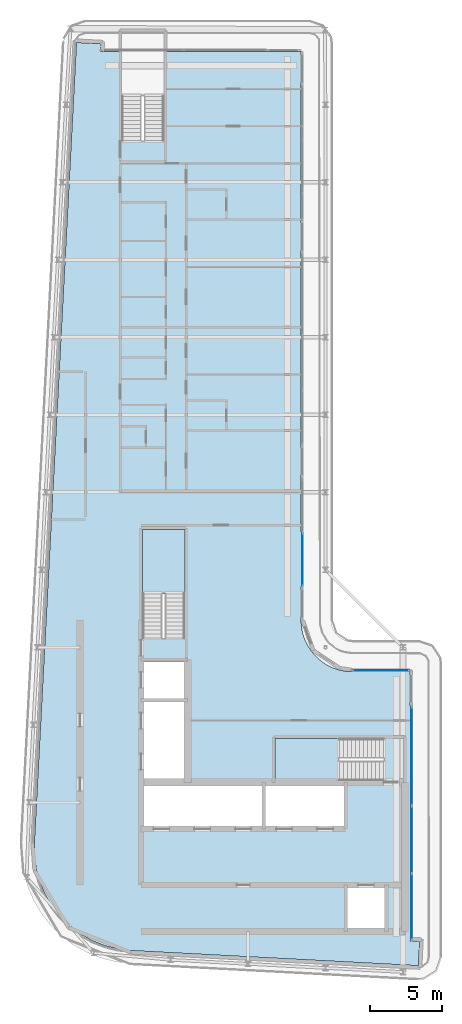
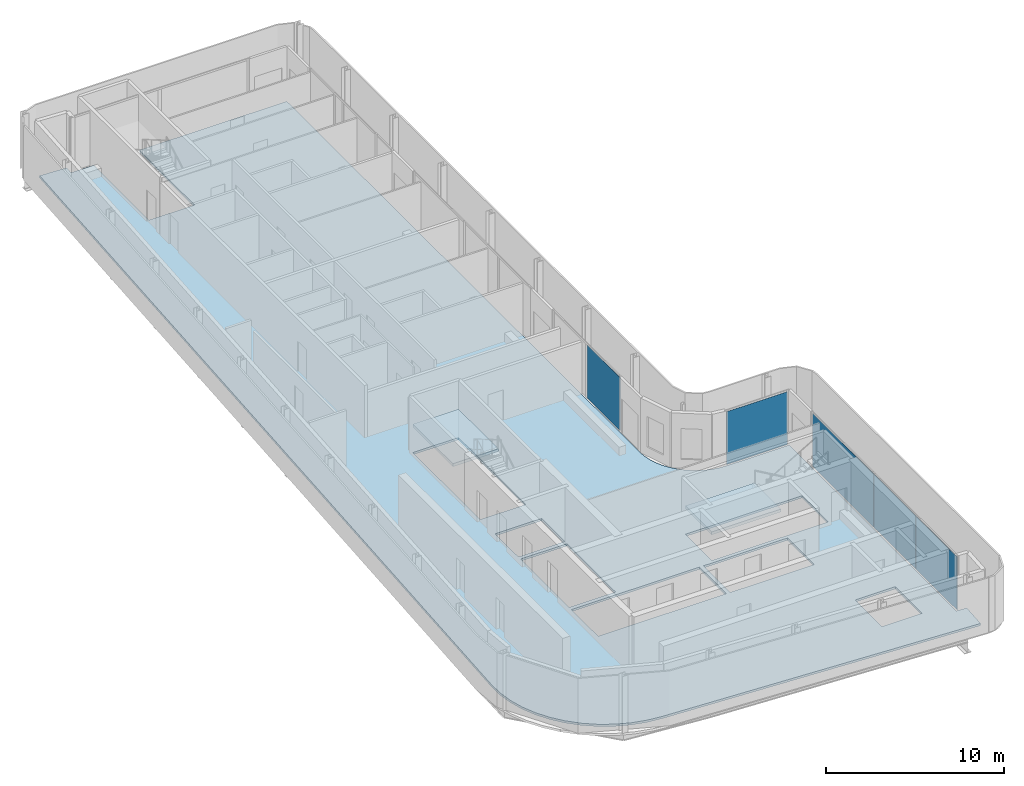
# One storey, part 7 of 17: 5 plates, 3 slabs, 6 elements without a shape of their own.
"""IFC4 building model written with IfcOpenShell, lengths in metres."""

from ifc_helpers import new_model, si_unit, direction, frame, origin, origin_2d, place, context, subcontext, project, spatial, polyline, rectangle, outline, extrude, material, layer, layer_set, type_object, element, aggregate, save


model = new_model("IFC4")

# Units and contexts
model_context = context("Model", 3, precision=1e-05, world=origin(), true_north=direction((0.0, 1.0)))
body_context = subcontext(model_context, "Body", "Model", "MODEL_VIEW")
ifc_project = project(units=[si_unit("LENGTHUNIT", "METRE"), si_unit("AREAUNIT", "SQUARE_METRE"), si_unit("VOLUMEUNIT", "CUBIC_METRE"), si_unit("PLANEANGLEUNIT", "RADIAN"), si_unit("MASSUNIT", "GRAM", prefix="KILO")], contexts=[model_context])

# Site, building, storey
site_placement = place(None, origin())
site = spatial("IfcSite", under=ifc_project, at=site_placement, CompositionType="ELEMENT")
building_placement = place(site_placement, origin())
building = spatial("IfcBuilding", under=site, at=building_placement, Name="Kheshtan School and Residences Tower", CompositionType="ELEMENT")
storey_placement = place(building_placement, frame((0.0, 0.0, 346.10009765625)))
storey = spatial("IfcBuildingStorey", under=building, at=storey_placement, Name="L81", CompositionType="ELEMENT", Elevation=346.10009765625)

# Curtain wall, plate
ifc_material_1 = material(Name="Clear low-e glass in thermally broken aluminium frame", Category="aluminium")
ifc_layer_1 = layer(ifc_material_1, 0.199951171875)
ifc_layer_set_1 = layer_set([ifc_layer_1], Name="Curtain wall CW-B")
curtain_wall_type_1 = type_object("IfcCurtainWallType", Name="Curtain wall CW-B", PredefinedType="NOTDEFINED", material=ifc_layer_set_1)
curtain_wall_1_placement = place(storey_placement, origin())
curtain_wall_1 = element("IfcCurtainWall", 1, at=curtain_wall_1_placement, inside=storey, type_object=curtain_wall_type_1, Name="Curtain wall CWB8", PredefinedType="NOTDEFINED")
ifc_layer_2 = layer(ifc_material_1, 0.031982421875)
ifc_layer_set_2 = layer_set([ifc_layer_2], Name="CW-B glass panel")
plate_type_1 = type_object("IfcPlateType", Name="CW-B glass panel", PredefinedType="CURTAIN_PANEL", material=ifc_layer_set_2)
plate_1_placement = place(storey_placement, frame((51.465087890625, 44.0, 0.0), z_axis=(0.0, 0.0, 1.0), x_axis=(1.0, 0.0, 0.0)))
plate_1 = element("IfcPlate", 2, at=plate_1_placement, type_object=plate_type_1, Name="CWB8 panel 1.1", PredefinedType="CURTAIN_PANEL", context=body_context, shape_type="SweptSolid", body=[
    extrude(rectangle(XDim=3.949951171875, YDim=0.031982421875, at=origin_2d()), origin(), (0.0, 0.0, 1.0), 3.6298828125),
])
aggregate(curtain_wall_1, [plate_1])

ifc_layer_3 = layer(ifc_material_1, 0.199951171875)
ifc_layer_set_3 = layer_set([ifc_layer_3], Name="Curtain wall CW-L")
curtain_wall_type_2 = type_object("IfcCurtainWallType", Name="Curtain wall CW-L", PredefinedType="NOTDEFINED", material=ifc_layer_set_3)
curtain_wall_2_placement = place(storey_placement, origin())
curtain_wall_2 = element("IfcCurtainWall", 3, at=curtain_wall_2_placement, inside=storey, type_object=curtain_wall_type_2, Name="Curtain wall CWL4a", PredefinedType="NOTDEFINED")
ifc_layer_4 = layer(ifc_material_1, 0.031982421875)
ifc_layer_set_4 = layer_set([ifc_layer_4], Name="CW-L glass panel")
plate_type_2 = type_object("IfcPlateType", Name="CW-L glass panel", PredefinedType="CURTAIN_PANEL", material=ifc_layer_set_4)
plate_2_placement = place(storey_placement, frame((46.0, 51.724365234375, 0.0), z_axis=(0.0, 0.0, 1.0), x_axis=(0.0, -1.0, 0.0)))
plate_2 = element("IfcPlate", 4, at=plate_2_placement, type_object=plate_type_2, Name="CWL4a panel 2.1", PredefinedType="CURTAIN_PANEL", context=body_context, shape_type="SweptSolid", body=[
    extrude(rectangle(XDim=3.668701171875, YDim=0.031982421875, at=origin_2d()), origin(), (0.0, 0.0, 1.0), 3.6298828125),
])
aggregate(curtain_wall_2, [plate_2])

curtain_wall_3_placement = place(storey_placement, origin())
curtain_wall_3 = element("IfcCurtainWall", 5, at=curtain_wall_3_placement, inside=storey, type_object=curtain_wall_type_2, Name="Curtain wall CWL9e", PredefinedType="NOTDEFINED")
plate_3_placement = place(storey_placement, frame((53.60009765625, 38.013916015625, 0.0), z_axis=(0.0, 0.0, 1.0), x_axis=(0.0, -1.0, 0.0)))
plate_3 = element("IfcPlate", 6, at=plate_3_placement, type_object=plate_type_2, Name="CWL9e panel 1.1", PredefinedType="CURTAIN_PANEL", context=body_context, shape_type="SweptSolid", body=[
    extrude(rectangle(XDim=6.85205078125, YDim=0.031982421875, at=origin_2d()), origin(), (0.0, 0.0, 1.0), 3.6298828125),
])
aggregate(curtain_wall_3, [plate_3])

# Curtain wall, plates
curtain_wall_4_placement = place(storey_placement, origin())
curtain_wall_4 = element("IfcCurtainWall", 7, at=curtain_wall_4_placement, inside=storey, type_object=curtain_wall_type_2, Name="Curtain wall CWL9d", PredefinedType="NOTDEFINED")
plate_4_placement = place(storey_placement, frame((53.60009765625, 32.199951171875, 0.0), z_axis=(0.0, 0.0, 1.0), x_axis=(0.0, -1.0, 0.0)))
plate_4 = element("IfcPlate", 8, at=plate_4_placement, type_object=plate_type_2, Name="CWL9d panel 1.1", PredefinedType="CURTAIN_PANEL", context=body_context, shape_type="SweptSolid", body=[
    extrude(rectangle(XDim=4.656005859375, YDim=0.031982421875, at=origin_2d()), origin(), (0.0, 0.0, 1.0), 3.6298828125),
])
plate_5_placement = place(storey_placement, frame((53.60009765625, 27.513916015625, 0.0), z_axis=(0.0, 0.0, 1.0), x_axis=(0.0, -1.0, 0.0)))
plate_5 = element("IfcPlate", 9, at=plate_5_placement, type_object=plate_type_2, Name="CWL9d panel 2.1", PredefinedType="CURTAIN_PANEL", context=body_context, shape_type="SweptSolid", body=[
    extrude(rectangle(XDim=4.595947265625, YDim=0.031982421875, at=origin_2d()), origin(), (0.0, 0.0, 1.0), 3.6298828125),
])
aggregate(curtain_wall_4, [plate_4, plate_5])

# Slab
ifc_material_2 = material(Name="Concrete C40/50", Category="concrete")
ifc_layer_5 = layer(ifc_material_2, 0.14990234375)
ifc_layer_set_5 = layer_set([ifc_layer_5], Name="Floor slab 150 Concrete C40/50")
slab_type_1 = type_object("IfcSlabType", Name="Floor slab 150 Concrete C40/50", PredefinedType="FLOOR", material=ifc_layer_set_5)
slab_1_placement = place(storey_placement, frame((0.0, 0.0, -0.150146484375)))
element("IfcSlab", 10, at=slab_1_placement, inside=storey, type_object=slab_type_1, Name="Floor slab L81", PredefinedType="FLOOR", context=body_context, shape_type="SweptSolid", body=[
    extrude(outline(polyline([(28.55908203125, 27.550048828125), (28.0849609375, 28.345947265625), (27.718017578125, 29.200927734375), (27.466064453125, 30.093017578125), (27.466064453125, 30.093994140625), (27.3330078125, 31.013916015625), (27.320068359375, 31.965087890625), (27.320068359375, 31.970947265625), (30.25390625, 87.700927734375), (30.2548828125, 87.7080078125), (30.258056640625, 87.73095703125), (30.258056640625, 87.73193359375), (30.259033203125, 87.73193359375), (30.85400390625, 87.699951171875), (30.85498046875, 87.699951171875), (30.85498046875, 87.698974609375), (30.85498046875, 87.695068359375), (30.85498046875, 87.694091796875), (30.85595703125, 87.694091796875), (30.85595703125, 87.693115234375), (30.85693359375, 87.693115234375), (30.85791015625, 87.693115234375), (30.85791015625, 87.694091796875), (30.860107421875, 87.696044921875), (30.861083984375, 87.697021484375), (30.862060546875, 87.697998046875), (30.863037109375, 87.697998046875), (30.863037109375, 87.698974609375), (30.864013671875, 87.698974609375), (30.864013671875, 87.699951171875), (30.864990234375, 87.699951171875), (30.866943359375, 87.700927734375), (30.867919921875, 87.701904296875), (30.87109375, 87.701904296875), (30.8720703125, 87.701904296875), (30.8720703125, 87.702880859375), (30.873046875, 87.702880859375), (30.8779296875, 87.702880859375), (31.93310546875, 87.64697265625), (31.93603515625, 87.64697265625), (31.93701171875, 87.64697265625), (31.93701171875, 87.64599609375), (31.93798828125, 87.64599609375), (31.94189453125, 87.64599609375), (31.94189453125, 87.64501953125), (31.943115234375, 87.64501953125), (31.943115234375, 87.64404296875), (31.944091796875, 87.64404296875), (31.944091796875, 87.64306640625), (31.945068359375, 87.64306640625), (31.946044921875, 87.64306640625), (31.946044921875, 87.64208984375), (31.947021484375, 87.64208984375), (31.947998046875, 87.64208984375), (31.947998046875, 87.64111328125), (31.949951171875, 87.638916015625), (31.950927734375, 87.638916015625), (31.950927734375, 87.637939453125), (31.950927734375, 87.636962890625), (31.951904296875, 87.636962890625), (31.951904296875, 87.635986328125), (31.952880859375, 87.635986328125), (31.952880859375, 87.634033203125), (31.952880859375, 87.633056640625), (31.9541015625, 87.633056640625), (31.9541015625, 87.632080078125), (31.955078125, 87.632080078125), (31.955078125, 87.631103515625), (31.955078125, 87.62890625), (31.955078125, 87.6279296875), (31.9560546875, 87.6279296875), (31.9560546875, 87.626953125), (31.9560546875, 87.6220703125), (31.928955078125, 87.12109375), (31.928955078125, 87.117919921875), (31.928955078125, 87.116943359375), (31.927978515625, 87.116943359375), (31.927978515625, 87.115966796875), (31.927978515625, 87.112060546875), (31.927001953125, 87.111083984375), (31.927001953125, 87.110107421875), (31.926025390625, 87.110107421875), (31.926025390625, 87.10888671875), (31.925048828125, 87.10888671875), (31.925048828125, 87.10791015625), (31.924072265625, 87.10693359375), (31.922119140625, 87.10498046875), (31.9208984375, 87.10400390625), (31.919921875, 87.10400390625), (31.919921875, 87.10302734375), (31.919921875, 87.10205078125), (31.919921875, 87.10107421875), (31.9208984375, 87.10107421875), (31.9208984375, 87.10009765625), (31.922119140625, 87.10009765625), (33.39990234375, 87.10009765625), (33.39990234375, 80.909912109375), (34.800048828125, 80.909912109375), (34.800048828125, 80.89990234375), (36.35009765625, 80.89990234375), (36.35009765625, 87.10009765625), (45.85498046875, 87.10009765625), (45.864990234375, 87.097900390625), (45.865966796875, 87.097900390625), (45.868896484375, 87.095947265625), (45.8740234375, 87.093994140625), (45.8779296875, 87.092041015625), (45.881103515625, 87.090087890625), (45.881103515625, 87.089111328125), (45.882080078125, 87.089111328125), (45.882080078125, 87.087890625), (45.883056640625, 87.087890625), (45.884033203125, 87.0849609375), (45.885009765625, 87.0849609375), (45.885009765625, 87.083984375), (45.887939453125, 87.0830078125), (45.887939453125, 87.08203125), (45.888916015625, 87.08203125), (45.888916015625, 87.0810546875), (45.889892578125, 87.0810546875), (45.89208984375, 87.077880859375), (45.89404296875, 87.073974609375), (45.89599609375, 87.069091796875), (45.89794921875, 87.06591796875), (45.89794921875, 87.06494140625), (45.89990234375, 87.054931640625), (45.89990234375, 47.429931640625), (45.927001953125, 47.030029296875), (46.01806640625, 46.570068359375), (46.01806640625, 46.569091796875), (46.169921875, 46.1201171875), (46.37890625, 45.697021484375), (46.638916015625, 45.30810546875), (46.949951171875, 44.950927734375), (46.950927734375, 44.949951171875), (47.30810546875, 44.638916015625), (47.697021484375, 44.37890625), (48.1201171875, 44.169921875), (48.569091796875, 44.01806640625), (48.570068359375, 44.01806640625), (49.030029296875, 43.927001953125), (49.429931640625, 43.89990234375), (53.455078125, 43.89990234375), (53.465087890625, 43.89794921875), (53.466064453125, 43.89794921875), (53.468994140625, 43.89599609375), (53.47412109375, 43.89404296875), (53.47802734375, 43.89208984375), (53.48095703125, 43.889892578125), (53.48095703125, 43.888916015625), (53.48193359375, 43.888916015625), (53.48193359375, 43.887939453125), (53.48291015625, 43.887939453125), (53.48388671875, 43.885009765625), (53.485107421875, 43.885009765625), (53.485107421875, 43.884033203125), (53.488037109375, 43.883056640625), (53.488037109375, 43.882080078125), (53.489013671875, 43.882080078125), (53.489013671875, 43.881103515625), (53.489990234375, 43.881103515625), (53.491943359375, 43.8779296875), (53.493896484375, 43.8740234375), (53.49609375, 43.868896484375), (53.498046875, 43.865966796875), (53.498046875, 43.864990234375), (53.4990234375, 43.860107421875), (53.5, 43.85498046875), (53.5, 25.15087890625), (53.5, 25.14990234375), (53.5009765625, 25.14990234375), (53.5009765625, 25.14892578125), (53.501953125, 25.14892578125), (53.5029296875, 25.14892578125), (53.5029296875, 25.14990234375), (53.506103515625, 25.153076171875), (53.507080078125, 25.154052734375), (53.508056640625, 25.154052734375), (53.508056640625, 25.155029296875), (53.509033203125, 25.155029296875), (53.509033203125, 25.156005859375), (53.512939453125, 25.157958984375), (53.51611328125, 25.157958984375), (53.51708984375, 25.157958984375), (53.51708984375, 25.158935546875), (53.51806640625, 25.158935546875), (53.52294921875, 25.158935546875), (54.137939453125, 25.1259765625), (54.14111328125, 25.1259765625), (54.14208984375, 25.1259765625), (54.14208984375, 25.125), (54.14306640625, 25.125), (54.14697265625, 25.125), (54.14697265625, 25.1240234375), (54.14794921875, 25.1240234375), (54.14794921875, 25.123046875), (54.14892578125, 25.123046875), (54.14892578125, 25.1220703125), (54.14990234375, 25.1220703125), (54.15087890625, 25.1220703125), (54.15087890625, 25.12109375), (54.152099609375, 25.12109375), (54.153076171875, 25.12109375), (54.156005859375, 25.117919921875), (54.156005859375, 25.116943359375), (54.156005859375, 25.115966796875), (54.156982421875, 25.115966796875), (54.156982421875, 25.114990234375), (54.157958984375, 25.114990234375), (54.157958984375, 25.113037109375), (54.157958984375, 25.112060546875), (54.158935546875, 25.112060546875), (54.158935546875, 25.111083984375), (54.159912109375, 25.111083984375), (54.159912109375, 25.110107421875), (54.159912109375, 25.10791015625), (54.159912109375, 25.10693359375), (54.160888671875, 25.10693359375), (54.160888671875, 25.10595703125), (54.160888671875, 25.10107421875), (54.10498046875, 24.0439453125), (54.10498046875, 24.041015625), (54.10498046875, 24.0400390625), (54.10400390625, 24.0400390625), (54.10400390625, 24.0390625), (54.10400390625, 24.034912109375), (54.10302734375, 24.033935546875), (54.10302734375, 24.032958984375), (54.10205078125, 24.032958984375), (54.10205078125, 24.031982421875), (54.10107421875, 24.031982421875), (54.10107421875, 24.031005859375), (54.096923828125, 24.027099609375), (54.095947265625, 24.027099609375), (54.095947265625, 24.02587890625), (54.095947265625, 24.02490234375), (54.095947265625, 24.02392578125), (54.096923828125, 24.02392578125), (54.096923828125, 24.02294921875), (54.097900390625, 24.02294921875), (54.09912109375, 24.02294921875), (54.10009765625, 24.02294921875), (54.10009765625, 24.02197265625), (54.068115234375, 23.427001953125), (54.068115234375, 23.426025390625), (54.06689453125, 23.426025390625), (54.04296875, 23.425048828125), (54.0380859375, 23.425048828125), (34.056884765625, 24.47802734375), (33.114990234375, 24.590087890625), (32.215087890625, 24.819091796875), (32.214111328125, 24.819091796875), (31.35205078125, 25.1630859375), (30.541015625, 25.616943359375), (29.799072265625, 26.1708984375), (29.799072265625, 26.172119140625), (29.798095703125, 26.172119140625), (29.134033203125, 26.820068359375), (29.134033203125, 26.821044921875), (29.133056640625, 26.821044921875), (28.55908203125, 27.550048828125)]), holes=[polyline([(53.5009765625, 24.030029296875), (53.5, 24.030029296875), (53.5, 24.029052734375), (53.5, 24.02490234375), (53.5, 24.02392578125), (53.5009765625, 24.02392578125), (53.5009765625, 24.02294921875), (53.501953125, 24.02294921875), (53.506103515625, 24.02294921875), (53.507080078125, 24.02294921875), (53.507080078125, 24.02392578125), (53.508056640625, 24.02392578125), (53.508056640625, 24.02490234375), (53.508056640625, 24.02587890625), (53.507080078125, 24.02587890625), (53.50390625, 24.029052734375), (53.5029296875, 24.030029296875), (53.5029296875, 24.031005859375), (53.501953125, 24.031005859375), (53.5009765625, 24.031005859375), (53.5009765625, 24.030029296875)]), polyline([(30.85595703125, 87.10693359375), (30.85498046875, 87.10693359375), (30.85498046875, 87.10595703125), (30.85498046875, 87.10205078125), (30.85498046875, 87.10107421875), (30.85595703125, 87.10107421875), (30.85595703125, 87.10009765625), (30.85693359375, 87.10009765625), (30.861083984375, 87.10009765625), (30.862060546875, 87.10009765625), (30.862060546875, 87.10107421875), (30.863037109375, 87.10107421875), (30.863037109375, 87.10205078125), (30.863037109375, 87.10302734375), (30.862060546875, 87.10302734375), (30.861083984375, 87.10400390625), (30.860107421875, 87.10498046875), (30.85888671875, 87.10595703125), (30.85791015625, 87.10693359375), (30.85791015625, 87.10791015625), (30.85693359375, 87.10791015625), (30.85595703125, 87.10791015625), (30.85595703125, 87.10693359375)]), polyline([(51.72509765625, 28.925048828125), (49.125, 28.925048828125), (49.125, 25.925048828125), (51.72509765625, 25.925048828125), (51.72509765625, 28.925048828125)]), polyline([(43.175048828125, 33.074951171875), (43.175048828125, 36.074951171875), (34.875, 36.074951171875), (34.875, 33.074951171875), (43.175048828125, 33.074951171875)]), polyline([(43.425048828125, 36.074951171875), (43.425048828125, 33.074951171875), (48.875, 33.074951171875), (48.875, 36.074951171875), (43.425048828125, 36.074951171875)]), polyline([(51.64990234375, 37.699951171875), (51.64990234375, 39.25), (44.090087890625, 39.25), (44.090087890625, 36.300048828125), (51.639892578125, 36.300048828125), (51.639892578125, 37.699951171875), (51.64990234375, 37.699951171875)]), polyline([(37.875, 41.77490234375), (34.875, 41.77490234375), (34.875, 36.324951171875), (37.875, 36.324951171875), (37.875, 41.77490234375)]), polyline([(37.875, 44.625), (34.875, 44.625), (34.875, 42.02490234375), (37.875, 42.02490234375), (37.875, 44.625)]), polyline([(37.800048828125, 53.81005859375), (34.85009765625, 53.81005859375), (34.85009765625, 46.260009765625), (36.25, 46.260009765625), (36.25, 46.25), (37.800048828125, 46.25), (37.800048828125, 53.81005859375)])]), origin(), (0.0, 0.0, 1.0), 0.150146484375),
])

# Stair, slab
stair_type = type_object("IfcStairType", Name="Exit stair, half-turn", PredefinedType="HALF_TURN_STAIR", material=ifc_material_2)
stair_1_placement = place(storey_placement, origin())
stair_1 = element("IfcStair", 11, at=stair_1_placement, inside=storey, type_object=stair_type, Name="L81 Protected Exit Stair ST1", PredefinedType="HALF_TURN_STAIR")
ifc_layer_6 = layer(ifc_material_2, 0.199951171875)
ifc_layer_set_6 = layer_set([ifc_layer_6], Name="Stair landing 200 Concrete C40/50")
slab_type_2 = type_object("IfcSlabType", Name="Stair landing 200 Concrete C40/50", PredefinedType="LANDING", material=ifc_layer_set_6)
slab_2_placement = place(storey_placement, frame((0.0, 0.0, 1.75)))
slab_2 = element("IfcSlab", 12, at=slab_2_placement, type_object=slab_type_2, Name="ST1 landing 1", PredefinedType="LANDING", context=body_context, shape_type="SweptSolid", body=[
    extrude(outline(polyline([(48.570068359375, 39.25), (44.090087890625, 39.25), (44.090087890625, 36.300048828125), (48.570068359375, 36.300048828125), (48.570068359375, 39.25)])), origin(), (0.0, 0.0, 1.0), 0.199951171875),
])
aggregate(stair_1, [slab_2])

stair_2_placement = place(storey_placement, origin())
stair_2 = element("IfcStair", 13, at=stair_2_placement, inside=storey, type_object=stair_type, Name="L81 Protected Exit Stair ST2", PredefinedType="HALF_TURN_STAIR")
slab_3_placement = place(storey_placement, frame((0.0, 0.0, 1.75)))
slab_3 = element("IfcSlab", 14, at=slab_3_placement, type_object=slab_type_2, Name="ST2 landing 1", PredefinedType="LANDING", context=body_context, shape_type="SweptSolid", body=[
    extrude(outline(polyline([(37.800048828125, 49.330078125), (37.800048828125, 53.81005859375), (34.85009765625, 53.81005859375), (34.85009765625, 49.330078125), (37.800048828125, 49.330078125)])), origin(), (0.0, 0.0, 1.0), 0.199951171875),
])
aggregate(stair_2, [slab_3])

save(model, "model.ifc")
